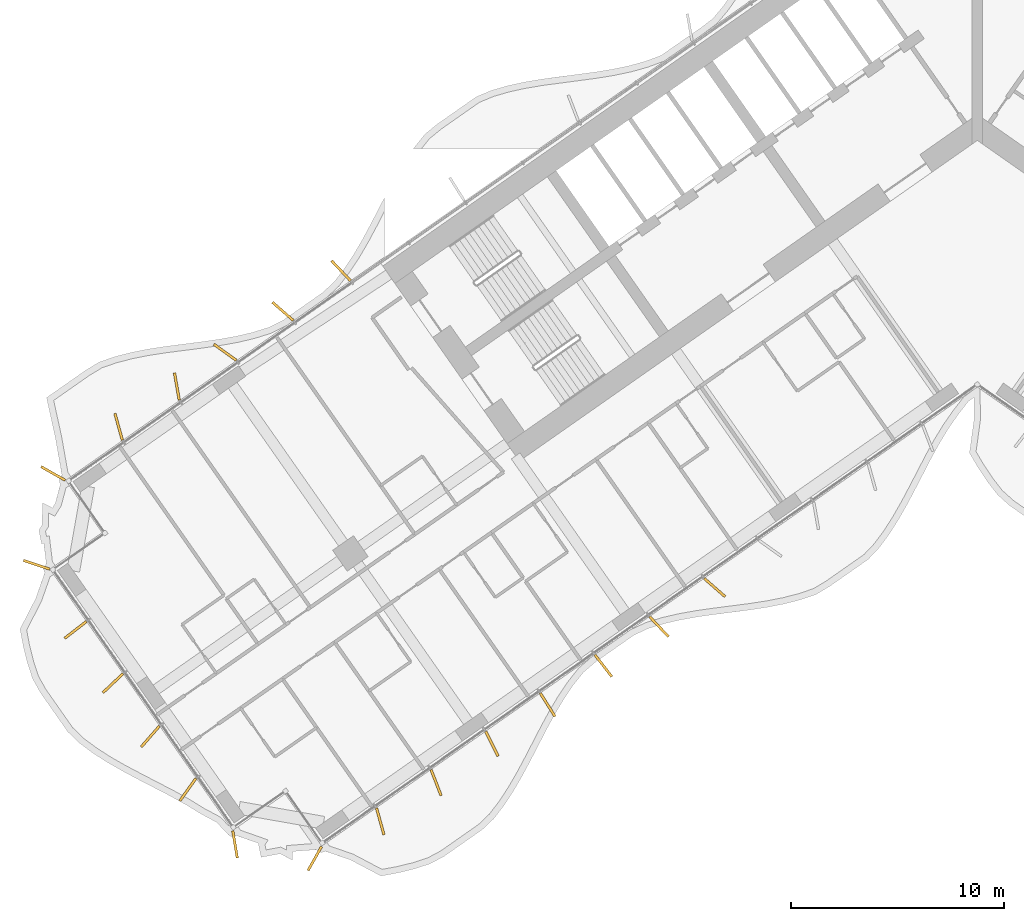
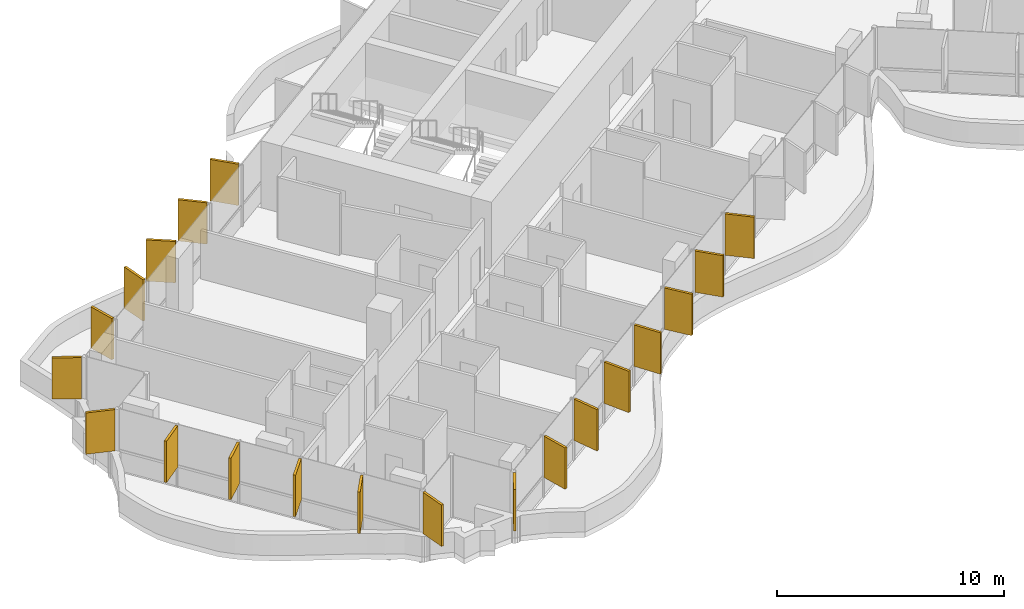
# One storey, part 20 of 25: 20 shading devices.
"""IFC4 building model written with IfcOpenShell, lengths in metres."""

from ifc_helpers import new_model, si_unit, direction, frame, origin, origin_2d, place, context, subcontext, project, spatial, rectangle, extrude, material, layer, layer_set, type_object, element, save


model = new_model("IFC4")

# Units and contexts
model_context = context("Model", 3, precision=1e-05, world=origin(), true_north=direction((0.0, 1.0)))
body_context = subcontext(model_context, "Body", "Model", "MODEL_VIEW")
ifc_project = project(units=[si_unit("LENGTHUNIT", "METRE"), si_unit("AREAUNIT", "SQUARE_METRE"), si_unit("VOLUMEUNIT", "CUBIC_METRE"), si_unit("PLANEANGLEUNIT", "RADIAN"), si_unit("MASSUNIT", "GRAM", prefix="KILO")], contexts=[model_context])

# Site, building, storey
site_placement = place(None, origin())
site = spatial("IfcSite", under=ifc_project, at=site_placement, CompositionType="ELEMENT")
building_placement = place(site_placement, origin())
building = spatial("IfcBuilding", under=site, at=building_placement, Name="Tel Ilan Convention Tower", CompositionType="ELEMENT")
storey_placement = place(building_placement, frame((0.0, 0.0, 58.10009765625)))
storey = spatial("IfcBuildingStorey", under=building, at=storey_placement, Name="L09", CompositionType="ELEMENT", Elevation=58.10009765625)

# Shading devices
ifc_material = material(Name="Aluminium, bronze anodised", Category="aluminium")
ifc_layer = layer(ifc_material, 0.1201171875)
ifc_layer_set = layer_set([ifc_layer], Name="FIN BRONZE 1300x120")
shading_device_type = type_object("IfcShadingDeviceType", Name="FIN BRONZE 1300x120", PredefinedType="USERDEFINED", material=ifc_layer_set)
for number, where, z_axis, x_axis, name in (
    (1, (-29.933837890625, -7.3466796875, 1.10009765625), (0.0, 0.0, 1.0), (-0.686241637865, 0.727373641577, 0.0), "FIN"),
    (2, (-32.660888671875, -9.26416015625, 1.10009765625), (0.0, 0.0, 1.0), (-0.753435896329, 0.657521368568, 0.0), "FIN"),
    (3, (-35.383544921875, -11.185791015625, 1.10009765625), (0.0, 0.0, 1.0), (-0.813552070258, 0.581492071294, 0.0), "FIN"),
    (4, (-37.65087890625, -12.7958984375, 1.10009765625), (0.0, 0.0, 1.0), (-0.173648177667, 0.984807753012, 0.0), "FIN"),
    (5, (-40.3896484375, -14.69091796875, 1.10009765625), (0.0, 0.0, 1.0), (-0.268172612768, 0.963370878614, 0.0), "FIN"),
    (6, (-43.4697265625, -16.886962890625, 1.10009765625), (0.0, 0.0, 1.0), (-0.870832754082, 0.491579408049, 0.0), "FIN"),
    (7, (-44.24609375, -21.18212890625, 1.10009765625), (0.0, 0.0, 1.0), (-0.949242643575, 0.314544756146, 0.0), "FIN"),
    (8, (-42.416015625, -24.2451171875, 1.10009765625), (0.0, 0.0, 1.0), (-0.790392669516, -0.612600545196, 0.0), "FIN"),
    (9, (-40.6591796875, -26.753662109375, 1.10009765625), (0.0, 0.0, 1.0), (-0.727373641577, -0.686241637865, 0.0), "FIN"),
    (10, (-38.897705078125, -29.258056640625, 1.10009765625), (0.0, 0.0, 1.0), (-0.657521368568, -0.753435896329, 0.0), "FIN"),
    (11, (-37.132080078125, -31.7578125, 1.10009765625), (0.0, 0.0, 1.0), (-0.581492071294, -0.813552070258, 0.0), "FIN"),
    (12, (-34.914306640625, -34.335693359375, 1.10009765625), (0.0, 0.0, 1.0), (0.16409119891, -0.986445172547, 0.0), "FIN"),
    (13, (-31.162109375, -34.997314453125, 1.10009765625), (0.0, 0.0, 1.0), (-0.491579408049, -0.870832754082, 0.0), "FIN"),
    (14, (-28.083984375, -33.254638671875, 1.10009765625), (0.0, 0.0, 1.0), (0.268172612768, -0.963370878614, 0.0), "FIN"),
    (15, (-25.457275390625, -31.430908203125, 1.10009765625), (0.0, 0.0, 1.0), (0.360177724803, -0.932883704733, 0.0), "FIN"),
    (16, (-22.8330078125, -29.60107421875, 1.10009765625), (0.0, 0.0, 1.0), (0.448799180206, -0.893632640321, 0.0), "FIN"),
    (17, (-20.211669921875, -27.765869140625, 1.10009765625), (0.0, 0.0, 1.0), (0.533204432798, -0.845986425922, 0.0), "FIN"),
    (18, (-17.590087890625, -25.930419921875, 1.10009765625), (0.0, 0.0, 1.0), (0.612600545196, -0.790392669516, 0.0), "FIN"),
    (19, (-14.968994140625, -24.094482421875, 1.10009765625), (0.0, 0.0, 1.0), (0.686241637865, -0.727373641577, 0.0), "FIN"),
    (20, (-12.35205078125, -22.25439453125, 1.10009765625), (0.0, 0.0, 1.0), (0.753435896329, -0.657521368568, 0.0), "FIN"),
):
    element("IfcShadingDevice", number, at=place(storey_placement, frame(where, z_axis=z_axis, x_axis=x_axis)), inside=storey, type_object=shading_device_type, Name=name, ObjectType="FIN", PredefinedType="USERDEFINED", context=body_context, shape_type="SweptSolid", body=[
        extrude(rectangle(XDim=1.300048828125, YDim=0.1201171875, at=origin_2d()), origin(), (0.0, 0.0, 1.0), 2.219970703125),
    ])

save(model, "model.ifc")
